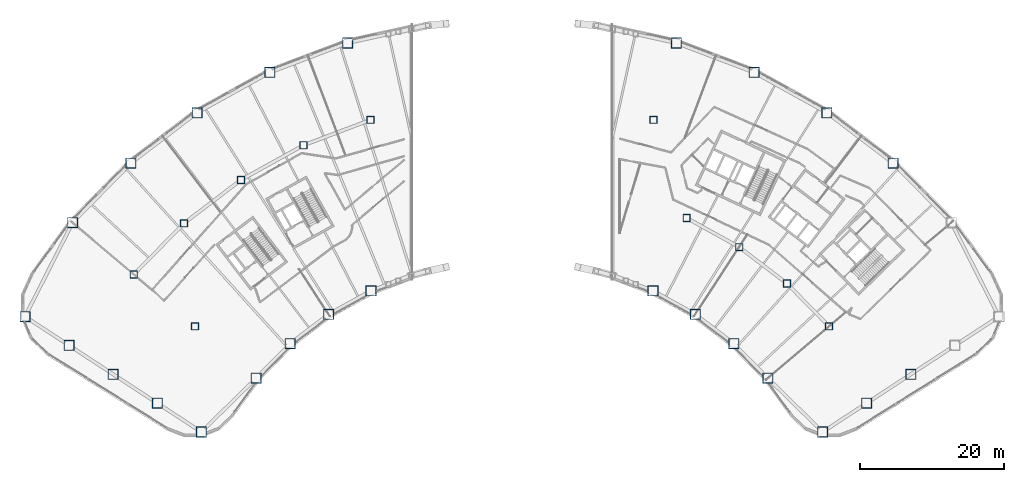
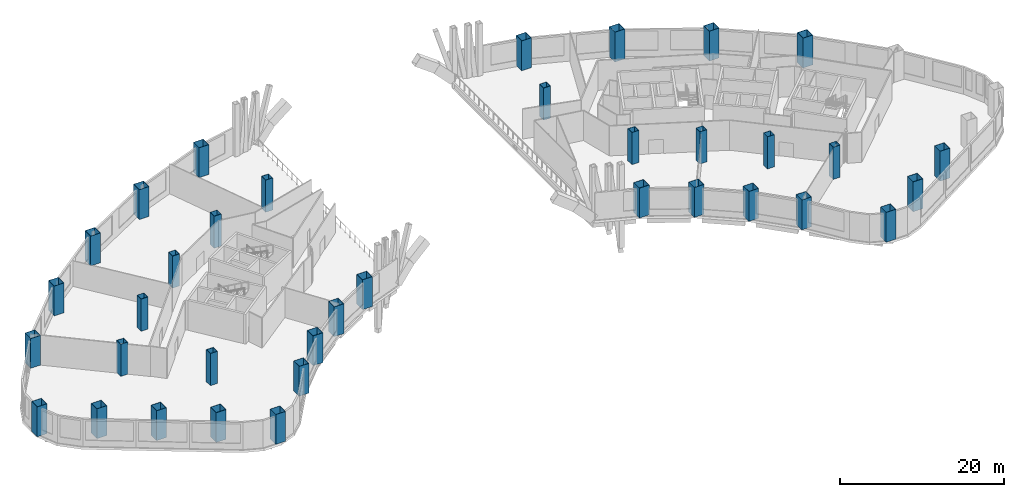
# One storey, part 1 of 14: 36 columns.
"""IFC4 building model written with IfcOpenShell, lengths in metres."""

from ifc_helpers import new_model, si_unit, direction, frame, origin, origin_2d, place, context, subcontext, project, spatial, hollow_rectangle, extrude, material, material_profile, profile_set, type_object, element, save


model = new_model("IFC4")

# Units and contexts
model_context = context("Model", 3, precision=1e-05, world=origin(), true_north=direction((0.0, 1.0)))
body_context = subcontext(model_context, "Body", "Model", "MODEL_VIEW")
ifc_project = project(units=[si_unit("LENGTHUNIT", "METRE"), si_unit("AREAUNIT", "SQUARE_METRE"), si_unit("VOLUMEUNIT", "CUBIC_METRE"), si_unit("PLANEANGLEUNIT", "RADIAN"), si_unit("MASSUNIT", "GRAM", prefix="KILO")], contexts=[model_context])

# Site, building, storey
site_placement = place(None, origin())
site = spatial("IfcSite", under=ifc_project, at=site_placement, CompositionType="ELEMENT")
building_placement = place(site_placement, origin())
building = spatial("IfcBuilding", under=site, at=building_placement, Name="Tuul Gate Civic Tower", CompositionType="ELEMENT")
storey_placement = place(building_placement, frame((0.0, 0.0, 17.10009765625)))
storey = spatial("IfcBuildingStorey", under=building, at=storey_placement, Name="Level 03", CompositionType="ELEMENT", Elevation=17.10009765625)

# Columns
ifc_material_1 = material(Name="Steel S355", Category="steel")
ifc_material_profile_1 = material_profile(ifc_material_1, hollow_rectangle(XDim=1.0, YDim=1.0, WallThickness=0.0400390625, at=origin_2d()), Name="BOX1000x1000x40")
ifc_profile_set_1 = profile_set([ifc_material_profile_1], Name="Steel S355")
column_type_1 = type_object("IfcColumnType", Name="STR-COLUMN-BOX1000x1000x40", PredefinedType="COLUMN", material=ifc_profile_set_1)
for number, where, z_axis, x_axis, name in (
    (1, (-52.471435546875, -15.52392578125, 0.0), (0.0, 0.0, 1.0), (1.0, 0.0, 0.0), "Interior column"),
    (2, (-45.513916015625, -8.42626953125, 0.0), (0.0, 0.0, 1.0), (1.0, 0.0, 0.0), "Interior column"),
    (3, (-37.606689453125, -2.40576171875, 0.0), (0.0, 0.0, 1.0), (1.0, 0.0, 0.0), "Interior column"),
    (4, (-28.9140625, 2.4130859375, 0.0), (0.0, 0.0, 1.0), (1.0, 0.0, 0.0), "Interior column"),
    (5, (-19.617919921875, 5.927978515625, 0.0), (0.0, 0.0, 1.0), (1.0, 0.0, 0.0), "Interior column"),
    (6, (19.617919921875, 5.927978515625, 0.0), (0.0, 0.0, 1.0), (1.0, 0.0, 0.0), "Interior column"),
    (7, (-43.981689453125, -22.719970703125, 0.0), (0.0, 0.0, 1.0), (1.0, 0.0, 0.0), "Interior column"),
    (8, (24.236083984375, -7.68505859375, 0.0), (0.0, 0.0, 1.0), (1.0, 0.0, 0.0), "Interior column"),
    (9, (31.522216796875, -11.724365234375, 0.0), (0.0, 0.0, 1.0), (1.0, 0.0, 0.0), "Interior column"),
    (10, (38.14990234375, -16.770751953125, 0.0), (0.0, 0.0, 1.0), (1.0, 0.0, 0.0), "Interior column"),
    (11, (43.981689453125, -22.719970703125, 0.0), (0.0, 0.0, 1.0), (1.0, 0.0, 0.0), "Interior column"),
):
    element("IfcColumn", number, at=place(storey_placement, frame(where, z_axis=z_axis, x_axis=x_axis)), inside=storey, type_object=column_type_1, Name=name, PredefinedType="COLUMN", context=body_context, shape_type="SweptSolid", body=[
        extrude(hollow_rectangle(XDim=1.0, YDim=1.0, WallThickness=0.0400390625, at=origin_2d()), origin(), (0.0, 0.0, 1.0), 4.7998046875),
    ])
ifc_material_2 = material(Name="Steel S355", Category="steel")
ifc_material_profile_2 = material_profile(ifc_material_2, hollow_rectangle(XDim=1.39990234375, YDim=1.39990234375, WallThickness=0.0400390625, at=origin_2d()), Name="BOX1400x1400x40")
ifc_profile_set_2 = profile_set([ifc_material_profile_2], Name="Steel S355")
column_type_2 = type_object("IfcColumnType", Name="STR-COLUMN-BOX1400x1400x40", PredefinedType="COLUMN", material=ifc_profile_set_2)
for number, where, z_axis, x_axis, name in (
    (12, (52.8779296875, -0.08203125, 0.0), (0.0, 0.0, 1.0), (1.0, 0.0, 0.0), "Column"),
    (13, (43.69091796875, 6.9130859375, 0.0), (0.0, 0.0, 1.0), (1.0, 0.0, 0.0), "Column"),
    (14, (33.592041015625, 12.510986328125, 0.0), (0.0, 0.0, 1.0), (1.0, 0.0, 0.0), "Column"),
    (15, (22.7919921875, 16.594970703125, 0.0), (0.0, 0.0, 1.0), (1.0, 0.0, 0.0), "Column"),
    (16, (-22.7919921875, 16.594970703125, 0.0), (0.0, 0.0, 1.0), (1.0, 0.0, 0.0), "Column"),
    (17, (-33.592041015625, 12.510986328125, 0.0), (0.0, 0.0, 1.0), (1.0, 0.0, 0.0), "Column"),
    (18, (-43.69091796875, 6.9130859375, 0.0), (0.0, 0.0, 1.0), (1.0, 0.0, 0.0), "Column"),
    (19, (-52.8779296875, -0.08203125, 0.0), (0.0, 0.0, 1.0), (1.0, 0.0, 0.0), "Column"),
    (20, (-60.9609375, -8.327880859375, 0.0), (0.0, 0.0, 1.0), (1.0, 0.0, 0.0), "Column"),
    (21, (-67.56201171875, -21.366943359375, 0.0), (0.0, 0.0, 1.0), (1.0, 0.0, 0.0), "Column"),
    (22, (-61.447021484375, -25.368896484375, 0.0), (0.0, 0.0, 1.0), (1.0, 0.0, 0.0), "Column"),
    (23, (-55.33203125, -29.37109375, 0.0), (0.0, 0.0, 1.0), (1.0, 0.0, 0.0), "Column"),
    (24, (-49.218017578125, -33.3720703125, 0.0), (0.0, 0.0, 1.0), (1.0, 0.0, 0.0), "Column"),
    (25, (-43.10302734375, -37.3740234375, 0.0), (0.0, 0.0, 1.0), (1.0, 0.0, 0.0), "Column"),
    (26, (-35.491943359375, -29.916015625, 0.0), (0.0, 0.0, 1.0), (1.0, 0.0, 0.0), "Column"),
    (27, (-30.785888671875, -25.114990234375, 0.0), (0.0, 0.0, 1.0), (1.0, 0.0, 0.0), "Column"),
    (28, (-25.43798828125, -21.04296875, 0.0), (0.0, 0.0, 1.0), (1.0, 0.0, 0.0), "Column"),
    (29, (-19.55810546875, -17.782958984375, 0.0), (0.0, 0.0, 1.0), (1.0, 0.0, 0.0), "Column"),
    (30, (19.55810546875, -17.782958984375, 0.0), (0.0, 0.0, 1.0), (1.0, 0.0, 0.0), "Column"),
    (31, (25.43798828125, -21.04296875, 0.0), (0.0, 0.0, 1.0), (1.0, 0.0, 0.0), "Column"),
    (32, (30.785888671875, -25.114990234375, 0.0), (0.0, 0.0, 1.0), (1.0, 0.0, 0.0), "Column"),
    (33, (35.491943359375, -29.916015625, 0.0), (0.0, 0.0, 1.0), (1.0, 0.0, 0.0), "Column"),
    (34, (43.10302734375, -37.3740234375, 0.0), (0.0, 0.0, 1.0), (1.0, 0.0, 0.0), "Column"),
    (35, (49.218017578125, -33.3720703125, 0.0), (0.0, 0.0, 1.0), (1.0, 0.0, 0.0), "Column"),
    (36, (55.33203125, -29.37109375, 0.0), (0.0, 0.0, 1.0), (1.0, 0.0, 0.0), "Column"),
):
    element("IfcColumn", number, at=place(storey_placement, frame(where, z_axis=z_axis, x_axis=x_axis)), inside=storey, type_object=column_type_2, Name=name, PredefinedType="COLUMN", context=body_context, shape_type="SweptSolid", body=[
        extrude(hollow_rectangle(XDim=1.39990234375, YDim=1.39990234375, WallThickness=0.0400390625, at=origin_2d()), origin(), (0.0, 0.0, 1.0), 4.449951171875),
    ])

save(model, "model.ifc")
